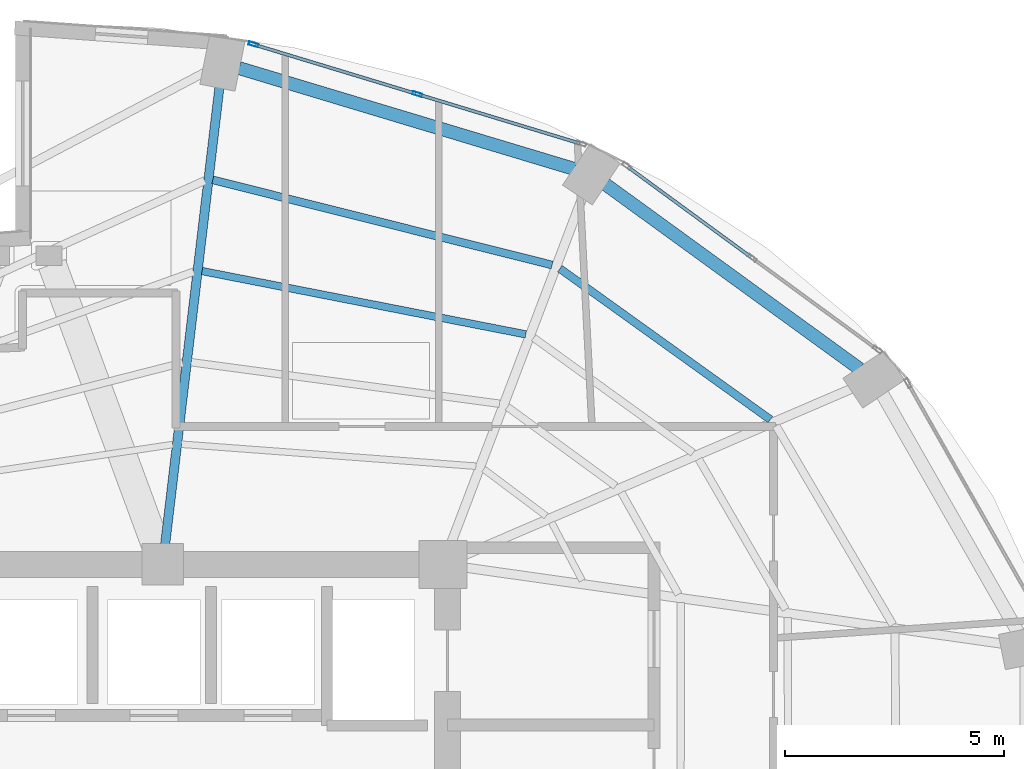
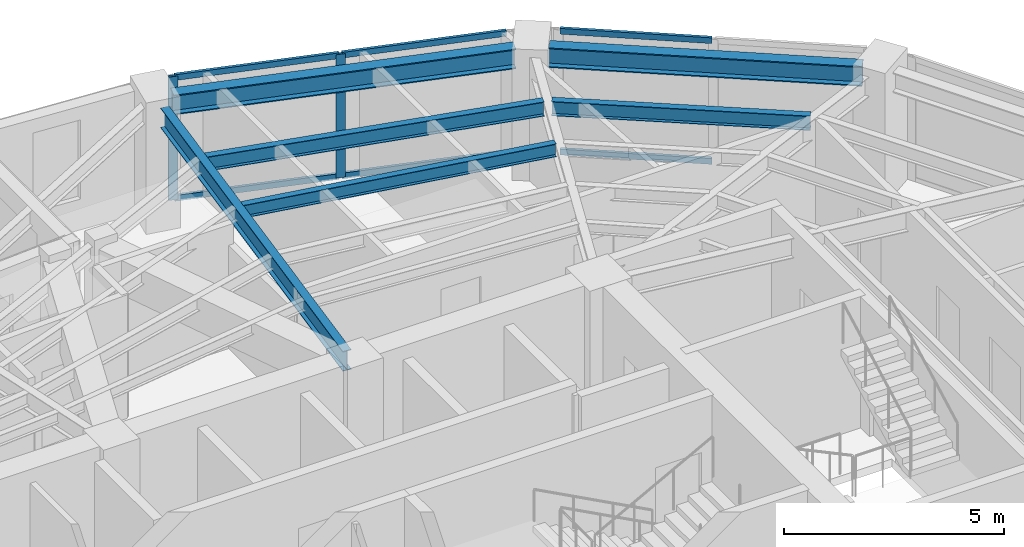
# One storey, part 13 of 20: 8 members, 6 beams, 2 elements without a shape of their own.
"""IFC4 building model written with IfcOpenShell, lengths in metres."""

from ifc_helpers import new_model, si_unit, direction, frame, origin, origin_2d, place, context, subcontext, project, spatial, hollow_rectangle, i_section, extrude, material, layer, layer_set, material_profile, profile_set, type_object, element, aggregate, save


model = new_model("IFC4")

# Units and contexts
model_context = context("Model", 3, precision=1e-05, world=origin(), true_north=direction((0.0, 1.0)))
body_context = subcontext(model_context, "Body", "Model", "MODEL_VIEW")
ifc_project = project(units=[si_unit("LENGTHUNIT", "METRE"), si_unit("AREAUNIT", "SQUARE_METRE"), si_unit("VOLUMEUNIT", "CUBIC_METRE"), si_unit("PLANEANGLEUNIT", "RADIAN"), si_unit("MASSUNIT", "GRAM", prefix="KILO")], contexts=[model_context])

# Site, building, storey
site_placement = place(None, origin())
site = spatial("IfcSite", under=ifc_project, at=site_placement, CompositionType="ELEMENT")
building_placement = place(site_placement, origin())
building = spatial("IfcBuilding", under=site, at=building_placement, Name="Lazwardi Medical Tower", CompositionType="ELEMENT")
storey_placement = place(building_placement, frame((0.0, 0.0, 160.176025390625)))
storey = spatial("IfcBuildingStorey", under=building, at=storey_placement, Name="L41", CompositionType="ELEMENT", Elevation=160.176025390625)

# Beams
ifc_material_1 = material(Name="Steel S355", Category="steel")
ifc_material_profile_1 = material_profile(ifc_material_1, i_section(OverallWidth=0.300048828125, OverallDepth=0.550048828125, WebThickness=0.014892578125, FlangeThickness=0.029052734375, at=origin_2d()), Name="HEB 550")
ifc_profile_set_1 = profile_set([ifc_material_profile_1], Name="Steel S355")
beam_type_1 = type_object("IfcBeamType", Name="BM-RB-Z3", PredefinedType="BEAM", material=ifc_profile_set_1)
beam_1_placement = place(storey_placement, frame((55.11181640625, 40.06591796875, 3.153076171875), z_axis=(-0.809127570774, 0.587633026824, 0.0), x_axis=(-0.587633026824, -0.809127570774, 0.0)))
element("IfcBeam", 1, at=beam_1_placement, inside=storey, type_object=beam_type_1, Name="Ring beam RB-04 B06 L41", PredefinedType="BEAM", context=body_context, shape_type="SweptSolid", body=[
    extrude(i_section(OverallWidth=0.300048828125, OverallDepth=0.550048828125, WebThickness=0.014892578125, FlangeThickness=0.029052734375, at=origin_2d()), origin(), (0.0, 0.0, 1.0), 7.170166015625),
])
beam_2_placement = place(storey_placement, frame((48.603515625, 44.62939453125, 3.153076171875), z_axis=(-0.957616873483, 0.288045002771, 0.0), x_axis=(-0.288045002771, -0.957616873483, 0.0)))
element("IfcBeam", 2, at=beam_2_placement, inside=storey, type_object=beam_type_1, Name="Ring beam RB-04 B07 L41", PredefinedType="BEAM", context=body_context, shape_type="SweptSolid", body=[
    extrude(i_section(OverallWidth=0.300048828125, OverallDepth=0.550048828125, WebThickness=0.014892578125, FlangeThickness=0.029052734375, at=origin_2d()), origin(), (0.0, 0.0, 1.0), 7.99951171875),
])
ifc_material_profile_2 = material_profile(ifc_material_1, i_section(OverallWidth=0.2099609375, OverallDepth=0.550048828125, WebThickness=0.010986328125, FlangeThickness=0.01708984375, at=origin_2d()), Name="IPE 550")
ifc_profile_set_2 = profile_set([ifc_material_profile_2], Name="Steel S355")
beam_type_2 = type_object("IfcBeamType", Name="BM-RG-W2", PredefinedType="BEAM", material=ifc_profile_set_2)
beam_3_placement = place(storey_placement, frame((40.494140625, 46.49267578125, 3.153076171875), z_axis=(-0.117968004211, -0.993017396616, 0.0), x_axis=(0.993017396616, -0.117968004211, 0.0)))
element("IfcBeam", 3, at=beam_3_placement, inside=storey, type_object=beam_type_2, Name="Radial girder RG-03 R08 L41", PredefinedType="BEAM", context=body_context, shape_type="SweptSolid", body=[
    extrude(i_section(OverallWidth=0.2099609375, OverallDepth=0.550048828125, WebThickness=0.010986328125, FlangeThickness=0.01708984375, at=origin_2d()), origin(), (0.0, 0.0, 1.0), 10.50927734375),
])
ifc_material_profile_3 = material_profile(ifc_material_1, i_section(OverallWidth=0.179931640625, OverallDepth=0.39990234375, WebThickness=0.008544921875, FlangeThickness=0.013427734375, at=origin_2d()), Name="IPE 400")
ifc_profile_set_3 = profile_set([ifc_material_profile_3], Name="Steel S355")
beam_type_3 = type_object("IfcBeamType", Name="BM-SJ-01", PredefinedType="JOIST", material=ifc_profile_set_3)
beam_4_placement = place(storey_placement, frame((53.073974609375, 38.908203125, 3.22802734375), z_axis=(-0.812602017757, 0.582818977675, 0.0), x_axis=(-0.582818977675, -0.812602017757, 0.0)))
element("IfcBeam", 4, at=beam_4_placement, inside=storey, type_object=beam_type_3, Name="Secondary joist SJ-01 R1 B06 L41", PredefinedType="JOIST", context=body_context, shape_type="SweptSolid", body=[
    extrude(i_section(OverallWidth=0.179931640625, OverallDepth=0.39990234375, WebThickness=0.008544921875, FlangeThickness=0.013427734375, at=origin_2d()), origin(), (0.0, 0.0, 1.0), 5.91259765625),
])
beam_5_placement = place(storey_placement, frame((48.091064453125, 42.43701171875, 3.22802734375), z_axis=(-0.969933596942, 0.243369713652, 0.0), x_axis=(-0.243369713652, -0.969933596942, 0.0)))
element("IfcBeam", 5, at=beam_5_placement, inside=storey, type_object=beam_type_3, Name="Secondary joist SJ-01 R1 B07 L41", PredefinedType="JOIST", context=body_context, shape_type="SweptSolid", body=[
    extrude(i_section(OverallWidth=0.179931640625, OverallDepth=0.39990234375, WebThickness=0.008544921875, FlangeThickness=0.013427734375, at=origin_2d()), origin(), (0.0, 0.0, 1.0), 7.98828125),
])
ifc_material_profile_4 = material_profile(ifc_material_1, i_section(OverallWidth=0.169921875, OverallDepth=0.360107421875, WebThickness=0.008056640625, FlangeThickness=0.0126953125, at=origin_2d()), Name="IPE 360")
ifc_profile_set_4 = profile_set([ifc_material_profile_4], Name="Steel S355")
beam_type_4 = type_object("IfcBeamType", Name="BM-SJ-02", PredefinedType="JOIST", material=ifc_profile_set_4)
beam_6_placement = place(storey_placement, frame((47.490478515625, 40.853515625, 3.248046875), z_axis=(-0.98141534692, 0.191895588353, 0.0), x_axis=(-0.191895588353, -0.98141534692, 0.0)))
element("IfcBeam", 6, at=beam_6_placement, inside=storey, type_object=beam_type_4, Name="Secondary joist SJ-02 R2 B07 L41", PredefinedType="JOIST", context=body_context, shape_type="SweptSolid", body=[
    extrude(i_section(OverallWidth=0.169921875, OverallDepth=0.360107421875, WebThickness=0.008056640625, FlangeThickness=0.0126953125, at=origin_2d()), origin(), (0.0, 0.0, 1.0), 7.534423828125),
])

# Curtain wall, members
ifc_material_2 = material(Name="Anodised bronze aluminium and solar control glazing", Category="aluminium")
ifc_layer = layer(ifc_material_2, 0.195068359375)
ifc_layer_set = layer_set([ifc_layer], Name="Anodised bronze aluminium and solar control glazing")
curtain_wall_type = type_object("IfcCurtainWallType", Name="CW-SYS-03", PredefinedType="NOTDEFINED", material=ifc_layer_set)
curtain_wall_1_placement = place(storey_placement, origin())
curtain_wall_1 = element("IfcCurtainWall", 7, at=curtain_wall_1_placement, inside=storey, type_object=curtain_wall_type, Name="L41 Unitised bronze curtain wall CW-03", PredefinedType="NOTDEFINED")
ifc_material_3 = material(Name="Anodised bronze aluminium", Category="aluminium")
ifc_material_profile_5 = material_profile(ifc_material_3, hollow_rectangle(XDim=0.074951171875, YDim=0.219970703125, WallThickness=0.00390625, at=origin_2d()), Name="ALU-MULLION 220x75x4")
ifc_profile_set_5 = profile_set([ifc_material_profile_5], Name="Anodised bronze aluminium")
member_type_1 = type_object("IfcMemberType", Name="CW-MUL-01", PredefinedType="MULLION", material=ifc_profile_set_5)
member_1_placement = place(storey_placement, frame((45.01513671875, 46.338623046875, 0.0), z_axis=(0.0, 0.0, 1.0), x_axis=(-0.290280785441, -0.956941516292, 0.0)))
member_1 = element("IfcMember", 8, at=member_1_placement, type_object=member_type_1, Name="CW-03 mullion 2", PredefinedType="MULLION", context=body_context, shape_type="SweptSolid", body=[
    extrude(hollow_rectangle(XDim=0.074951171875, YDim=0.219970703125, WallThickness=0.00390625, at=origin_2d()), origin(), (0.0, 0.0, 1.0), 3.427978515625),
])
member_2_placement = place(storey_placement, frame((41.27197265625, 47.47412109375, 0.0), z_axis=(0.0, 0.0, 1.0), x_axis=(-0.290280785441, -0.956941516292, 0.0)))
member_2 = element("IfcMember", 9, at=member_2_placement, type_object=member_type_1, Name="CW-03 mullion 3", PredefinedType="MULLION", context=body_context, shape_type="SweptSolid", body=[
    extrude(hollow_rectangle(XDim=0.074951171875, YDim=0.219970703125, WallThickness=0.00390625, at=origin_2d()), origin(), (0.0, 0.0, 1.0), 3.427978515625),
])

curtain_wall_2_placement = place(storey_placement, origin())
curtain_wall_2 = element("IfcCurtainWall", 10, at=curtain_wall_2_placement, inside=storey, type_object=curtain_wall_type, Name="L41 Unitised bronze curtain wall CW-03", PredefinedType="NOTDEFINED")
ifc_material_profile_6 = material_profile(ifc_material_3, hollow_rectangle(XDim=0.074951171875, YDim=0.159912109375, WallThickness=0.00390625, at=origin_2d()), Name="ALU-TRANSOM 160x75x4")
ifc_profile_set_6 = profile_set([ifc_material_profile_6], Name="Anodised bronze aluminium")
member_type_2 = type_object("IfcMemberType", Name="CW-TRN-01", PredefinedType="USERDEFINED", material=ifc_profile_set_6)
member_3_placement = place(storey_placement, frame((52.62744140625, 42.62109375, 0.037353515625), z_axis=(-0.806807161185, 0.590814864962, 0.0), x_axis=(-0.590814864962, -0.806807161185, 0.0)))
member_3 = element("IfcMember", 11, at=member_3_placement, type_object=member_type_2, Name="CW-03 transom 2.1", ObjectType="TRANSOM", PredefinedType="USERDEFINED", context=body_context, shape_type="SweptSolid", body=[
    extrude(hollow_rectangle(XDim=0.074951171875, YDim=0.159912109375, WallThickness=0.00390625, at=origin_2d()), origin(), (0.0, 0.0, 1.0), 3.472412109375),
])
member_4_placement = place(storey_placement, frame((52.62744140625, 42.62109375, 3.390380859375), z_axis=(-0.806807161185, 0.590814864962, 0.0), x_axis=(-0.590814864962, -0.806807161185, 0.0)))
member_4 = element("IfcMember", 12, at=member_4_placement, type_object=member_type_2, Name="CW-03 transom 2.2", ObjectType="TRANSOM", PredefinedType="USERDEFINED", context=body_context, shape_type="SweptSolid", body=[
    extrude(hollow_rectangle(XDim=0.074951171875, YDim=0.159912109375, WallThickness=0.00390625, at=origin_2d()), origin(), (0.0, 0.0, 1.0), 3.472412109375),
])
aggregate(curtain_wall_2, [member_3, member_4])

# Member
member_5_placement = place(storey_placement, frame((48.72216796875, 45.214111328125, 0.037353515625), z_axis=(-0.956930154175, 0.290318239233, 0.0), x_axis=(-0.290318239233, -0.956930154175, 0.0)))
member_5 = element("IfcMember", 13, at=member_5_placement, type_object=member_type_2, Name="CW-03 transom 1.1", ObjectType="TRANSOM", PredefinedType="USERDEFINED", context=body_context, shape_type="SweptSolid", body=[
    extrude(hollow_rectangle(XDim=0.074951171875, YDim=0.159912109375, WallThickness=0.00390625, at=origin_2d()), origin(), (0.0, 0.0, 1.0), 3.83642578125),
])

member_6_placement = place(storey_placement, frame((48.72216796875, 45.214111328125, 3.390380859375), z_axis=(-0.956930154175, 0.290318239233, 0.0), x_axis=(-0.290318239233, -0.956930154175, 0.0)))
member_6 = element("IfcMember", 14, at=member_6_placement, type_object=member_type_2, Name="CW-03 transom 1.2", ObjectType="TRANSOM", PredefinedType="USERDEFINED", context=body_context, shape_type="SweptSolid", body=[
    extrude(hollow_rectangle(XDim=0.074951171875, YDim=0.159912109375, WallThickness=0.00390625, at=origin_2d()), origin(), (0.0, 0.0, 1.0), 3.83642578125),
])

member_7_placement = place(storey_placement, frame((44.979248046875, 46.349609375, 0.037353515625), z_axis=(-0.95695319357, 0.290242287264, 0.0), x_axis=(-0.290242287264, -0.95695319357, 0.0)))
member_7 = element("IfcMember", 15, at=member_7_placement, type_object=member_type_2, Name="CW-03 transom 2.1", ObjectType="TRANSOM", PredefinedType="USERDEFINED", context=body_context, shape_type="SweptSolid", body=[
    extrude(hollow_rectangle(XDim=0.074951171875, YDim=0.159912109375, WallThickness=0.00390625, at=origin_2d()), origin(), (0.0, 0.0, 1.0), 3.83642578125),
])

member_8_placement = place(storey_placement, frame((44.979248046875, 46.349609375, 3.390380859375), z_axis=(-0.95695319357, 0.290242287264, 0.0), x_axis=(-0.290242287264, -0.95695319357, 0.0)))
member_8 = element("IfcMember", 16, at=member_8_placement, type_object=member_type_2, Name="CW-03 transom 2.2", ObjectType="TRANSOM", PredefinedType="USERDEFINED", context=body_context, shape_type="SweptSolid", body=[
    extrude(hollow_rectangle(XDim=0.074951171875, YDim=0.159912109375, WallThickness=0.00390625, at=origin_2d()), origin(), (0.0, 0.0, 1.0), 3.83642578125),
])

aggregate(curtain_wall_1, [member_1, member_2, member_5, member_6, member_7, member_8])

save(model, "model.ifc")
